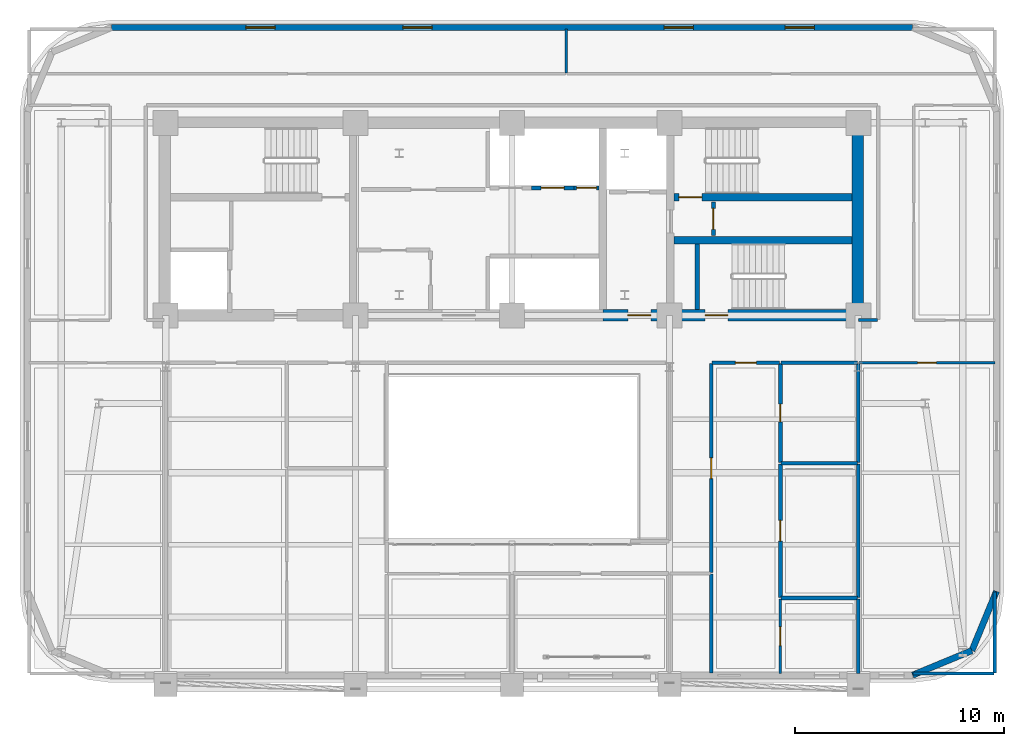
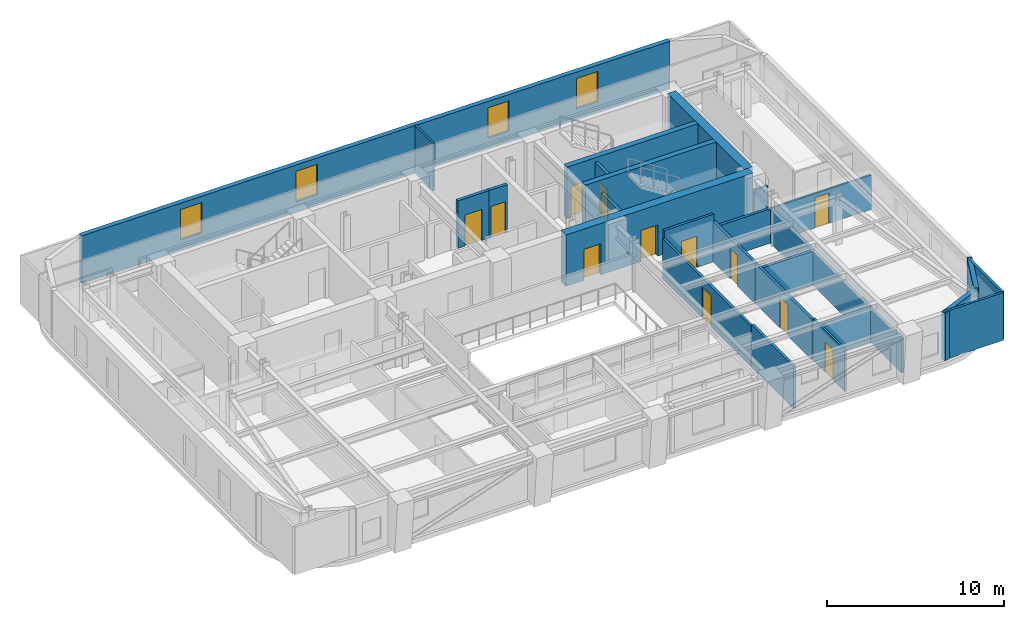
# One storey, part 8 of 13: 28 walls, 12 doors, 4 windows, 16 openings.
"""IFC4 building model written with IfcOpenShell, lengths in metres."""

from ifc_helpers import new_model, si_unit, direction, frame, frame_2d, origin, place, context, subcontext, project, spatial, rectangle, extrude, material, layer, layer_set, type_object, element, fill, save


model = new_model("IFC4")

# Units and contexts
model_context = context("Model", 3, precision=1e-05, world=origin(), true_north=direction((0.0, 1.0)))
body_context = subcontext(model_context, "Body", "Model", "MODEL_VIEW")
ifc_project = project(units=[si_unit("LENGTHUNIT", "METRE"), si_unit("AREAUNIT", "SQUARE_METRE"), si_unit("VOLUMEUNIT", "CUBIC_METRE"), si_unit("PLANEANGLEUNIT", "RADIAN"), si_unit("MASSUNIT", "GRAM", prefix="KILO")], contexts=[model_context])

# Site, building, storey
site_placement = place(None, origin())
site = spatial("IfcSite", under=ifc_project, at=site_placement, CompositionType="ELEMENT")
building_placement = place(site_placement, origin())
building = spatial("IfcBuilding", under=site, at=building_placement, Name="Zarnavel Station Tower", CompositionType="ELEMENT")
storey_placement = place(building_placement, frame((0.0, 0.0, 176.75)))
storey = spatial("IfcBuildingStorey", under=building, at=storey_placement, Name="L48", CompositionType="ELEMENT", Elevation=176.75)

# Wall, opening, door
ifc_material_1 = material(Name="Concrete C50/60", Category="concrete")
ifc_layer_1 = layer(ifc_material_1, 0.35009765625)
ifc_layer_set_1 = layer_set([ifc_layer_1], Name="CW_350")
wall_type_1 = type_object("IfcWallType", Name="CW_350", PredefinedType="SHEAR", material=ifc_layer_set_1)
wall_1_placement = place(storey_placement, frame((45.10498046875, 33.47998046875, 0.0), z_axis=(0.0, 0.0, 1.0), x_axis=(-1.0, 0.0, 0.0)))
wall_1 = element("IfcWall", 1, at=wall_1_placement, inside=storey, type_object=wall_type_1, Name="L48 Rear Core Shear Wall DIV-H2", PredefinedType="SHEAR", context=body_context, shape_type="SweptSolid", body=[
    extrude(rectangle(XDim=8.550048828125, YDim=0.35009765625, at=frame_2d((4.27490234375, 0.0))), origin(), (0.0, 0.0, 1.0), 3.550048828125),
])
opening_1_placement = place(wall_1_placement, frame((7.205078125, 0.0, 0.0)))
opening_1 = element("IfcOpeningElement", 2, at=opening_1_placement, cuts=wall_1, Name="Opening FD01", PredefinedType="OPENING", context=body_context, shape_type="SweptSolid", body=[
    extrude(rectangle(XDim=1.10009765625, YDim=2.14990234375, at=frame_2d((0.550048828125, 1.074951171875))), frame((0.0, 0.18505859375, 0.0), z_axis=(0.0, -1.0, 0.0), x_axis=(1.0, 0.0, 0.0)), (0.0, 0.0, 1.0), 0.3701171875),
])
ifc_material_2 = material(Name="Painted Galvanised Steel and Hardwood Leaf", Category="steel")
door_type_1 = type_object("IfcDoorType", Name="ID_STAIR_1100", OperationType="NOTDEFINED", PredefinedType="DOOR", material=ifc_material_2)
door_1_placement = place(opening_1_placement, origin())
door_1 = element("IfcDoor", 3, at=door_1_placement, inside=storey, type_object=door_type_1, Name="L48 Stair ST2 Lobby Fire Door", OperationType="SINGLE_SWING_RIGHT", OverallHeight=2.14990234375, OverallWidth=1.10009765625, PredefinedType="DOOR", context=body_context, shape_type="SweptSolid", body=[
    extrude(rectangle(XDim=1.10009765625, YDim=2.14990234375, at=frame_2d((0.550048828125, 1.074951171875))), frame((0.0, 0.02490234375, 0.0), z_axis=(0.0, -1.0, 0.0), x_axis=(1.0, 0.0, 0.0)), (0.0, 0.0, 1.0), 0.050048828125),
])
fill(opening_1, door_1)

# Wall
wall_2_placement = place(storey_placement, frame((36.554931640625, 31.419921875, 0.0), z_axis=(0.0, 0.0, 1.0), x_axis=(1.0, 0.0, 0.0)))
element("IfcWall", 4, at=wall_2_placement, inside=storey, type_object=wall_type_1, Name="L48 Rear Core Shear Wall DIV-H3", PredefinedType="SHEAR", context=body_context, shape_type="SweptSolid", body=[
    extrude(rectangle(XDim=8.550048828125, YDim=0.35009765625, at=frame_2d((4.27490234375, 0.0))), origin(), (0.0, 0.0, 1.0), 3.550048828125),
])

# Wall, openings, doors
ifc_material_3 = material(Name="Concrete C50/60", Category="concrete")
ifc_layer_2 = layer(ifc_material_3, 0.550048828125)
ifc_layer_set_2 = layer_set([ifc_layer_2], Name="CW_550")
wall_type_2 = type_object("IfcWallType", Name="CW_550", PredefinedType="SHEAR", material=ifc_layer_set_2)
wall_3_placement = place(storey_placement, frame((45.3798828125, 27.820068359375, 0.0), z_axis=(0.0, 0.0, 1.0), x_axis=(-1.0, 0.0, 0.0)))
wall_3 = element("IfcWall", 5, at=wall_3_placement, inside=storey, type_object=wall_type_2, Name="L48 Rear Core Shear Wall S-E", PredefinedType="SHEAR", context=body_context, shape_type="SweptSolid", body=[
    extrude(rectangle(XDim=12.22998046875, YDim=0.550048828125, at=frame_2d((6.114990234375, 0.0))), origin(), (0.0, 0.0, 1.0), 3.550048828125),
])
opening_2_placement = place(wall_3_placement, frame((9.929931640625, 0.0, 0.0)))
opening_2 = element("IfcOpeningElement", 6, at=opening_2_placement, cuts=wall_3, Name="Opening FD01", PredefinedType="OPENING", context=body_context, shape_type="SweptSolid", body=[
    extrude(rectangle(XDim=1.10009765625, YDim=2.14990234375, at=frame_2d((0.550048828125, 1.074951171875))), frame((0.0, 0.284912109375, 0.0), z_axis=(0.0, -1.0, 0.0), x_axis=(1.0, 0.0, 0.0)), (0.0, 0.0, 1.0), 0.570068359375),
])
opening_3_placement = place(wall_3_placement, frame((6.22998046875, 0.0, 0.0)))
opening_3 = element("IfcOpeningElement", 7, at=opening_3_placement, cuts=wall_3, Name="Opening FD01", PredefinedType="OPENING", context=body_context, shape_type="SweptSolid", body=[
    extrude(rectangle(XDim=1.10009765625, YDim=2.14990234375, at=frame_2d((0.550048828125, 1.074951171875))), frame((0.0, 0.284912109375, 0.0), z_axis=(0.0, -1.0, 0.0), x_axis=(1.0, 0.0, 0.0)), (0.0, 0.0, 1.0), 0.570068359375),
])
door_2_placement = place(opening_2_placement, origin())
door_2 = element("IfcDoor", 8, at=door_2_placement, inside=storey, type_object=door_type_1, Name="L48 East Firefighting Lobby Door", OperationType="SINGLE_SWING_LEFT", OverallHeight=2.14990234375, OverallWidth=1.10009765625, PredefinedType="DOOR", context=body_context, shape_type="SweptSolid", body=[
    extrude(rectangle(XDim=1.10009765625, YDim=2.14990234375, at=frame_2d((0.550048828125, 1.074951171875))), frame((0.0, 0.02490234375, 0.0), z_axis=(0.0, -1.0, 0.0), x_axis=(1.0, 0.0, 0.0)), (0.0, 0.0, 1.0), 0.050048828125),
])
fill(opening_2, door_2)
door_3_placement = place(opening_3_placement, origin())
door_3 = element("IfcDoor", 9, at=door_3_placement, inside=storey, type_object=door_type_1, Name="L48 Stair ST3 Corridor Fire Door", OperationType="SINGLE_SWING_RIGHT", OverallHeight=2.14990234375, OverallWidth=1.10009765625, PredefinedType="DOOR", context=body_context, shape_type="SweptSolid", body=[
    extrude(rectangle(XDim=1.10009765625, YDim=2.14990234375, at=frame_2d((0.550048828125, 1.074951171875))), frame((0.0, 0.02490234375, 0.0), z_axis=(0.0, -1.0, 0.0), x_axis=(1.0, 0.0, 0.0)), (0.0, 0.0, 1.0), 0.050048828125),
])
fill(opening_3, door_3)

# Walls
wall_4_placement = place(storey_placement, frame((45.3798828125, 28.094970703125, 0.0), z_axis=(0.0, 0.0, 1.0), x_axis=(0.0, 1.0, 0.0)))
element("IfcWall", 10, at=wall_4_placement, inside=storey, type_object=wall_type_2, Name="L48 Rear Core Shear Wall E", PredefinedType="SHEAR", context=body_context, shape_type="SweptSolid", body=[
    extrude(rectangle(XDim=8.679931640625, YDim=0.550048828125, at=frame_2d((4.33984375, 0.0))), origin(), (0.0, 0.0, 1.0), 3.550048828125),
])
ifc_material_4 = material(Name="Precast concrete C45/55 (Dark Basalt Finish)", Category="masonry")
ifc_layer_3 = layer(ifc_material_4, 0.300048828125)
ifc_layer_set_3 = layer_set([ifc_layer_3], Name="EW_BASALT_300")
wall_type_3 = type_object("IfcWallType", Name="EW_BASALT_300", PredefinedType="SOLIDWALL", material=ifc_layer_set_3)
wall_5_placement = place(storey_placement, frame((50.842529296875, 11.75732421875, 0.0), z_axis=(0.0, 0.0, 1.0), x_axis=(-0.92389884758, -0.382636798336, 0.0)))
element("IfcWall", 11, at=wall_5_placement, inside=storey, type_object=wall_type_3, Name="L48 Exterior Basalt Masonry Frame Wall 01", PredefinedType="SOLIDWALL", context=body_context, shape_type="SweptSolid", body=[
    extrude(rectangle(XDim=3.07666015625, YDim=0.300048828125, at=frame_2d((1.538330078125, 0.0))), origin(), (0.0, 0.0, 1.0), 3.2900390625),
])
wall_6_placement = place(storey_placement, frame((52.02001953125, 14.60009765625, 0.0), z_axis=(0.0, 0.0, 1.0), x_axis=(-0.382676475685, -0.923882414032, 0.0)))
element("IfcWall", 12, at=wall_6_placement, inside=storey, type_object=wall_type_3, Name="L48 Exterior Basalt Masonry Frame Wall 02", PredefinedType="SOLIDWALL", context=body_context, shape_type="SweptSolid", body=[
    extrude(rectangle(XDim=3.076904296875, YDim=0.300048828125, at=frame_2d((1.53857421875, 0.0))), origin(), (0.0, 0.0, 1.0), 3.2900390625),
])

# Wall, openings, windows
wall_7_placement = place(storey_placement, frame((9.60009765625, 41.6201171875, 0.0), z_axis=(0.0, 0.0, 1.0), x_axis=(1.0, 0.0, 0.0)))
wall_7 = element("IfcWall", 13, at=wall_7_placement, inside=storey, type_object=wall_type_3, Name="L48 Exterior Basalt Masonry Frame Wall 06", PredefinedType="SOLIDWALL", context=body_context, shape_type="SweptSolid", body=[
    extrude(rectangle(XDim=38.39990234375, YDim=0.300048828125, at=frame_2d((19.199951171875, 0.0))), origin(), (0.0, 0.0, 1.0), 3.2900390625),
])
opening_4_placement = place(wall_7_placement, frame((6.44677734375, 0.0, 0.75)))
opening_4 = element("IfcOpeningElement", 14, at=opening_4_placement, cuts=wall_7, Name="Opening WN04", PredefinedType="OPENING", context=body_context, shape_type="SweptSolid", body=[
    extrude(rectangle(XDim=1.39990234375, YDim=2.10009765625, at=frame_2d((0.699951171875, 1.050048828125))), frame((0.0, 0.159912109375, 0.0), z_axis=(0.0, -1.0, 0.0), x_axis=(1.0, 0.0, 0.0)), (0.0, 0.0, 1.0), 0.320068359375),
])
opening_5_placement = place(wall_7_placement, frame((13.973388671875, 0.0, 0.75)))
opening_5 = element("IfcOpeningElement", 15, at=opening_5_placement, cuts=wall_7, Name="Opening WN04", PredefinedType="OPENING", context=body_context, shape_type="SweptSolid", body=[
    extrude(rectangle(XDim=1.39990234375, YDim=2.10009765625, at=frame_2d((0.699951171875, 1.050048828125))), frame((0.0, 0.159912109375, 0.0), z_axis=(0.0, -1.0, 0.0), x_axis=(1.0, 0.0, 0.0)), (0.0, 0.0, 1.0), 0.320068359375),
])
opening_6_placement = place(wall_7_placement, frame((26.493408203125, 0.0, 0.75)))
opening_6 = element("IfcOpeningElement", 16, at=opening_6_placement, cuts=wall_7, Name="Opening WN04", PredefinedType="OPENING", context=body_context, shape_type="SweptSolid", body=[
    extrude(rectangle(XDim=1.39990234375, YDim=2.10009765625, at=frame_2d((0.699951171875, 1.050048828125))), frame((0.0, 0.159912109375, 0.0), z_axis=(0.0, -1.0, 0.0), x_axis=(1.0, 0.0, 0.0)), (0.0, 0.0, 1.0), 0.320068359375),
])
opening_7_placement = place(wall_7_placement, frame((32.28662109375, 0.0, 0.75)))
opening_7 = element("IfcOpeningElement", 17, at=opening_7_placement, cuts=wall_7, Name="Opening WN04", PredefinedType="OPENING", context=body_context, shape_type="SweptSolid", body=[
    extrude(rectangle(XDim=1.39990234375, YDim=2.10009765625, at=frame_2d((0.699951171875, 1.050048828125))), frame((0.0, 0.159912109375, 0.0), z_axis=(0.0, -1.0, 0.0), x_axis=(1.0, 0.0, 0.0)), (0.0, 0.0, 1.0), 0.320068359375),
])
ifc_material_5 = material(Name="Thermally Broken Black Aluminium and Low-E Dark Glass", Category="aluminium")
window_type = type_object("IfcWindowType", Name="WN_1400x2100", PartitioningType="DOUBLE_PANEL_VERTICAL", PredefinedType="WINDOW", material=ifc_material_5)
window_1_placement = place(opening_4_placement, origin())
window_1 = element("IfcWindow", 18, at=window_1_placement, inside=storey, type_object=window_type, Name="L48 Recessed Facade Window 01", OverallHeight=2.10009765625, OverallWidth=1.39990234375, PartitioningType="SINGLE_PANEL", PredefinedType="WINDOW", context=body_context, shape_type="SweptSolid", body=[
    extrude(rectangle(XDim=1.39990234375, YDim=2.10009765625, at=frame_2d((0.699951171875, 1.050048828125))), frame((0.0, 0.030029296875, 0.0), z_axis=(0.0, -1.0, 0.0), x_axis=(1.0, 0.0, 0.0)), (0.0, 0.0, 1.0), 0.06005859375),
])
fill(opening_4, window_1)
window_2_placement = place(opening_5_placement, origin())
window_2 = element("IfcWindow", 19, at=window_2_placement, inside=storey, type_object=window_type, Name="L48 Recessed Facade Window 02", OverallHeight=2.10009765625, OverallWidth=1.39990234375, PartitioningType="SINGLE_PANEL", PredefinedType="WINDOW", context=body_context, shape_type="SweptSolid", body=[
    extrude(rectangle(XDim=1.39990234375, YDim=2.10009765625, at=frame_2d((0.699951171875, 1.050048828125))), frame((0.0, 0.030029296875, 0.0), z_axis=(0.0, -1.0, 0.0), x_axis=(1.0, 0.0, 0.0)), (0.0, 0.0, 1.0), 0.06005859375),
])
fill(opening_5, window_2)
window_3_placement = place(opening_6_placement, origin())
window_3 = element("IfcWindow", 20, at=window_3_placement, inside=storey, type_object=window_type, Name="L48 Recessed Facade Window 03", OverallHeight=2.10009765625, OverallWidth=1.39990234375, PartitioningType="SINGLE_PANEL", PredefinedType="WINDOW", context=body_context, shape_type="SweptSolid", body=[
    extrude(rectangle(XDim=1.39990234375, YDim=2.10009765625, at=frame_2d((0.699951171875, 1.050048828125))), frame((0.0, 0.030029296875, 0.0), z_axis=(0.0, -1.0, 0.0), x_axis=(1.0, 0.0, 0.0)), (0.0, 0.0, 1.0), 0.06005859375),
])
fill(opening_6, window_3)
window_4_placement = place(opening_7_placement, origin())
window_4 = element("IfcWindow", 21, at=window_4_placement, inside=storey, type_object=window_type, Name="L48 Recessed Facade Window 04", OverallHeight=2.10009765625, OverallWidth=1.39990234375, PartitioningType="SINGLE_PANEL", PredefinedType="WINDOW", context=body_context, shape_type="SweptSolid", body=[
    extrude(rectangle(XDim=1.39990234375, YDim=2.10009765625, at=frame_2d((0.699951171875, 1.050048828125))), frame((0.0, 0.030029296875, 0.0), z_axis=(0.0, -1.0, 0.0), x_axis=(1.0, 0.0, 0.0)), (0.0, 0.0, 1.0), 0.06005859375),
])
fill(opening_7, window_4)

# Wall, opening, door
ifc_material_6 = material(Name="Gypsum Twin-Stud Acoustic Fire Partition", Category="concrete")
ifc_layer_4 = layer(ifc_material_6, 0.159912109375)
ifc_layer_set_4 = layer_set([ifc_layer_4], Name="PT_DEMISE_160")
wall_type_4 = type_object("IfcWallType", Name="PT_DEMISE_160", PredefinedType="PARTITIONING", material=ifc_layer_set_4)
wall_8_placement = place(storey_placement, frame((38.389892578125, 25.550048828125, 0.0), z_axis=(0.0, 0.0, 1.0), x_axis=(1.0, 0.0, 0.0)))
wall_8 = element("IfcWall", 22, at=wall_8_placement, inside=storey, type_object=wall_type_4, Name="L48 Partition COR-S-UE1LV", PredefinedType="PARTITIONING", context=body_context, shape_type="SweptSolid", body=[
    extrude(rectangle(XDim=3.233154296875, YDim=0.159912109375, at=frame_2d((1.61669921875, 0.0))), origin(), (0.0, 0.0, 1.0), 3.2900390625),
])
opening_8_placement = place(wall_8_placement, frame((1.116455078125, 0.0, 0.0)))
opening_8 = element("IfcOpeningElement", 23, at=opening_8_placement, cuts=wall_8, Name="Opening FD02", PredefinedType="OPENING", context=body_context, shape_type="SweptSolid", body=[
    extrude(rectangle(XDim=1.0, YDim=2.14990234375, at=frame_2d((0.5, 1.074951171875))), frame((0.0, 0.08984375, 0.0), z_axis=(0.0, -1.0, 0.0), x_axis=(1.0, 0.0, 0.0)), (0.0, 0.0, 1.0), 0.179931640625),
])
ifc_material_7 = material(Name="Painted Galvanised Steel and Hardwood Leaf", Category="steel")
door_type_2 = type_object("IfcDoorType", Name="ID_ENTRY_1000", OperationType="NOTDEFINED", PredefinedType="DOOR", material=ifc_material_7)
door_4_placement = place(opening_8_placement, origin())
door_4 = element("IfcDoor", 24, at=door_4_placement, inside=storey, type_object=door_type_2, Name="L48 Door COR-S-UE1LV", OperationType="SINGLE_SWING_LEFT", OverallHeight=2.14990234375, OverallWidth=1.0, PredefinedType="DOOR", context=body_context, shape_type="SweptSolid", body=[
    extrude(rectangle(XDim=1.0, YDim=2.14990234375, at=frame_2d((0.5, 1.074951171875))), frame((0.0, 0.02490234375, 0.0), z_axis=(0.0, -1.0, 0.0), x_axis=(1.0, 0.0, 0.0)), (0.0, 0.0, 1.0), 0.050048828125),
])
fill(opening_8, door_4)

wall_9_placement = place(storey_placement, frame((38.35009765625, 15.489990234375, 0.0), z_axis=(0.0, 0.0, 1.0), x_axis=(0.0, 1.0, 0.0)))
wall_9 = element("IfcWall", 25, at=wall_9_placement, inside=storey, type_object=wall_type_4, Name="L48 Partition COR-AE-UE1LV", PredefinedType="PARTITIONING", context=body_context, shape_type="SweptSolid", body=[
    extrude(rectangle(XDim=10.02001953125, YDim=0.159912109375, at=frame_2d((5.010009765625, 0.0))), origin(), (0.0, 0.0, 1.0), 2.77001953125),
])
opening_9_placement = place(wall_9_placement, frame((4.510009765625, 0.0, 0.0)))
opening_9 = element("IfcOpeningElement", 26, at=opening_9_placement, cuts=wall_9, Name="Opening FD02", PredefinedType="OPENING", context=body_context, shape_type="SweptSolid", body=[
    extrude(rectangle(XDim=1.0, YDim=2.14990234375, at=frame_2d((0.5, 1.074951171875))), frame((0.0, 0.08984375, 0.0), z_axis=(0.0, -1.0, 0.0), x_axis=(1.0, 0.0, 0.0)), (0.0, 0.0, 1.0), 0.179931640625),
])
door_5_placement = place(opening_9_placement, origin())
door_5 = element("IfcDoor", 27, at=door_5_placement, inside=storey, type_object=door_type_2, Name="L48 Door COR-AE-UE1LV", OperationType="SINGLE_SWING_LEFT", OverallHeight=2.14990234375, OverallWidth=1.0, PredefinedType="DOOR", context=body_context, shape_type="SweptSolid", body=[
    extrude(rectangle(XDim=1.0, YDim=2.14990234375, at=frame_2d((0.5, 1.074951171875))), frame((0.0, 0.02490234375, 0.0), z_axis=(0.0, -1.0, 0.0), x_axis=(1.0, 0.0, 0.0)), (0.0, 0.0, 1.0), 0.050048828125),
])
fill(opening_9, door_5)

# Walls
wall_10_placement = place(storey_placement, frame((45.39990234375, 10.659912109375, 0.0), z_axis=(0.0, 0.0, 1.0), x_axis=(0.0, 1.0, 0.0)))
element("IfcWall", 28, at=wall_10_placement, inside=storey, type_object=wall_type_4, Name="L48 Partition UE1B1-L47TEA", PredefinedType="PARTITIONING", context=body_context, shape_type="SweptSolid", body=[
    extrude(rectangle(XDim=3.572998046875, YDim=0.159912109375, at=frame_2d((1.78662109375, 0.0))), origin(), (0.0, 0.0, 1.0), 2.3701171875),
])
wall_11_placement = place(storey_placement, frame((45.409912109375, 27.60009765625, 0.0), z_axis=(0.0, 0.0, 1.0), x_axis=(1.0, 0.0, 0.0)))
element("IfcWall", 29, at=wall_11_placement, inside=storey, type_object=wall_type_4, Name="L48 Enclosure Wall COR-S", PredefinedType="PARTITIONING", context=body_context, shape_type="SweptSolid", body=[
    extrude(rectangle(XDim=0.91015625, YDim=0.159912109375, at=frame_2d((0.455078125, 0.0))), origin(), (0.0, 0.0, 1.0), 2.360107421875),
])
wall_12_placement = place(storey_placement, frame((38.35009765625, 10.68994140625, 0.0), z_axis=(0.0, 0.0, 1.0), x_axis=(0.0, 1.0, 0.0)))
element("IfcWall", 30, at=wall_12_placement, inside=storey, type_object=wall_type_4, Name="L48 Enclosure Wall UE1LV", PredefinedType="PARTITIONING", context=body_context, shape_type="SweptSolid", body=[
    extrude(rectangle(XDim=4.72998046875, YDim=0.159912109375, at=frame_2d((2.364990234375, 0.0))), origin(), (0.0, 0.0, 1.0), 2.919921875),
])
wall_13_placement = place(storey_placement, frame((48.030029296875, 10.659912109375, 0.0), z_axis=(0.0, 0.0, 1.0), x_axis=(1.0, 0.0, 0.0)))
element("IfcWall", 31, at=wall_13_placement, inside=storey, type_object=wall_type_4, Name="L48 Enclosure Wall L47TEA", PredefinedType="PARTITIONING", context=body_context, shape_type="SweptSolid", body=[
    extrude(rectangle(XDim=3.8798828125, YDim=0.159912109375, at=frame_2d((1.93994140625, 0.0))), origin(), (0.0, 0.0, 1.0), 3.2900390625),
])
wall_14_placement = place(storey_placement, frame((51.93994140625, 10.68994140625, 0.0), z_axis=(0.0, 0.0, 1.0), x_axis=(0.0, 1.0, 0.0)))
element("IfcWall", 32, at=wall_14_placement, inside=storey, type_object=wall_type_4, Name="L48 Enclosure Wall L47TEA", PredefinedType="PARTITIONING", context=body_context, shape_type="SweptSolid", body=[
    extrude(rectangle(XDim=3.880126953125, YDim=0.159912109375, at=frame_2d((1.93994140625, 0.0))), origin(), (0.0, 0.0, 1.0), 3.2900390625),
])

# Wall, opening, door
ifc_material_8 = material(Name="Gypsum Metal-Stud Interior Partition", Category="concrete")
ifc_layer_5 = layer(ifc_material_8, 0.1201171875)
ifc_layer_set_5 = layer_set([ifc_layer_5], Name="PT_ROOM_120")
wall_type_5 = type_object("IfcWallType", Name="PT_ROOM_120", PredefinedType="PARTITIONING", material=ifc_layer_set_5)
wall_15_placement = place(storey_placement, frame((45.43994140625, 25.550048828125, 0.0), z_axis=(0.0, 0.0, 1.0), x_axis=(1.0, 0.0, 0.0)))
wall_15 = element("IfcWall", 33, at=wall_15_placement, inside=storey, type_object=wall_type_5, Name="L48 Partition COR-S-L47TEA", PredefinedType="PARTITIONING", context=body_context, shape_type="SweptSolid", body=[
    extrude(rectangle(XDim=6.5, YDim=0.1201171875, at=frame_2d((3.25, 0.0))), origin(), (0.0, 0.0, 1.0), 2.3701171875),
])
opening_10_placement = place(wall_15_placement, frame((2.800048828125, 0.0, 0.0)))
opening_10 = element("IfcOpeningElement", 34, at=opening_10_placement, cuts=wall_15, Name="Opening ID01", PredefinedType="OPENING", context=body_context, shape_type="SweptSolid", body=[
    extrude(rectangle(XDim=0.89990234375, YDim=2.10009765625, at=frame_2d((0.449951171875, 1.050048828125))), frame((0.0, 0.070068359375, 0.0), z_axis=(0.0, -1.0, 0.0), x_axis=(1.0, 0.0, 0.0)), (0.0, 0.0, 1.0), 0.14013671875),
])
ifc_material_9 = material(Name="Painted Galvanised Steel and Hardwood Leaf", Category="steel")
door_type_3 = type_object("IfcDoorType", Name="ID_ROOM_900", OperationType="NOTDEFINED", PredefinedType="DOOR", material=ifc_material_9)
door_6_placement = place(opening_10_placement, origin())
door_6 = element("IfcDoor", 35, at=door_6_placement, inside=storey, type_object=door_type_3, Name="L48 Door COR-S-L47TEA", OperationType="SINGLE_SWING_RIGHT", OverallHeight=2.10009765625, OverallWidth=0.89990234375, PredefinedType="DOOR", context=body_context, shape_type="SweptSolid", body=[
    extrude(rectangle(XDim=0.89990234375, YDim=2.10009765625, at=frame_2d((0.449951171875, 1.050048828125))), frame((0.0, 0.02490234375, 0.0), z_axis=(0.0, -1.0, 0.0), x_axis=(1.0, 0.0, 0.0)), (0.0, 0.0, 1.0), 0.050048828125),
])
fill(opening_10, door_6)

# Wall
wall_16_placement = place(storey_placement, frame((31.39990234375, 39.43994140625, 0.0), z_axis=(0.0, 0.0, 1.0), x_axis=(0.0, 1.0, 0.0)))
element("IfcWall", 36, at=wall_16_placement, inside=storey, type_object=wall_type_5, Name="L48 Partition NGYM-NBRD", PredefinedType="PARTITIONING", context=body_context, shape_type="SweptSolid", body=[
    extrude(rectangle(XDim=2.10009765625, YDim=0.1201171875, at=frame_2d((1.050048828125, 0.0))), origin(), (0.0, 0.0, 1.0), 3.2900390625),
])

# Wall, opening, door
wall_17_placement = place(storey_placement, frame((41.6630859375, 10.659912109375, 0.0), z_axis=(0.0, 0.0, 1.0), x_axis=(0.0, 1.0, 0.0)))
wall_17 = element("IfcWall", 37, at=wall_17_placement, inside=storey, type_object=wall_type_5, Name="L48 Partition UE1LV-UE1B1", PredefinedType="PARTITIONING", context=body_context, shape_type="SweptSolid", body=[
    extrude(rectangle(XDim=3.572998046875, YDim=0.1201171875, at=frame_2d((1.78662109375, 0.0))), origin(), (0.0, 0.0, 1.0), 2.919921875),
])
opening_11_placement = place(wall_17_placement, frame((1.33642578125, 0.0, 0.0)))
opening_11 = element("IfcOpeningElement", 38, at=opening_11_placement, cuts=wall_17, Name="Opening ID01", PredefinedType="OPENING", context=body_context, shape_type="SweptSolid", body=[
    extrude(rectangle(XDim=0.89990234375, YDim=2.10009765625, at=frame_2d((0.449951171875, 1.050048828125))), frame((0.0, 0.070068359375, 0.0), z_axis=(0.0, -1.0, 0.0), x_axis=(1.0, 0.0, 0.0)), (0.0, 0.0, 1.0), 0.14013671875),
])
door_7_placement = place(opening_11_placement, origin())
door_7 = element("IfcDoor", 39, at=door_7_placement, inside=storey, type_object=door_type_3, Name="L48 Door UE1LV-UE1B1", OperationType="SINGLE_SWING_LEFT", OverallHeight=2.10009765625, OverallWidth=0.89990234375, PredefinedType="DOOR", context=body_context, shape_type="SweptSolid", body=[
    extrude(rectangle(XDim=0.89990234375, YDim=2.10009765625, at=frame_2d((0.449951171875, 1.050048828125))), frame((0.0, 0.02490234375, 0.0), z_axis=(0.0, -1.0, 0.0), x_axis=(1.0, 0.0, 0.0)), (0.0, 0.0, 1.0), 0.050048828125),
])
fill(opening_11, door_7)

ifc_material_10 = material(Name="Precast concrete C45/55 (Fire Shaft Blockwork)", Category="masonry")
ifc_layer_6 = layer(ifc_material_10, 0.199951171875)
ifc_layer_set_6 = layer_set([ifc_layer_6], Name="PT_SHAFT_200")
wall_type_6 = type_object("IfcWallType", Name="PT_SHAFT_200", PredefinedType="PARTITIONING", material=ifc_layer_set_6)
wall_18_placement = place(storey_placement, frame((29.72509765625, 33.929931640625, 0.0), z_axis=(0.0, 0.0, 1.0), x_axis=(1.0, 0.0, 0.0)))
wall_18 = element("IfcWall", 40, at=wall_18_placement, inside=storey, type_object=wall_type_6, Name="L48 Lift PL-M2 Shaft Front Wall", PredefinedType="PARTITIONING", context=body_context, shape_type="SweptSolid", body=[
    extrude(rectangle(XDim=2.0498046875, YDim=0.199951171875, at=frame_2d((1.02490234375, 0.0))), origin(), (0.0, 0.0, 1.0), 3.2900390625),
])
opening_12_placement = place(wall_18_placement, frame((0.47509765625, 0.0, 0.0)))
opening_12 = element("IfcOpeningElement", 41, at=opening_12_placement, cuts=wall_18, Name="Opening LD02", PredefinedType="OPENING", context=body_context, shape_type="SweptSolid", body=[
    extrude(rectangle(XDim=1.10009765625, YDim=2.14990234375, at=frame_2d((0.550048828125, 1.074951171875))), frame((0.0, 0.10986328125, 0.0), z_axis=(0.0, -1.0, 0.0), x_axis=(1.0, 0.0, 0.0)), (0.0, 0.0, 1.0), 0.219970703125),
])
ifc_material_11 = material(Name="Painted Galvanised Steel and Hardwood Leaf", Category="steel")
door_type_4 = type_object("IfcDoorType", Name="LD_PAX_1100", OperationType="DOUBLE_DOOR_SLIDING", PredefinedType="DOOR", material=ifc_material_11)
door_8_placement = place(opening_12_placement, origin())
door_8 = element("IfcDoor", 42, at=door_8_placement, inside=storey, type_object=door_type_4, Name="L48 Lift PL-M2 Sliding Landing Door", OperationType="DOUBLE_DOOR_SLIDING", OverallHeight=2.14990234375, OverallWidth=1.10009765625, PredefinedType="DOOR", context=body_context, shape_type="SweptSolid", body=[
    extrude(rectangle(XDim=1.10009765625, YDim=2.14990234375, at=frame_2d((0.550048828125, 1.074951171875))), frame((0.0, 0.02490234375, 0.0), z_axis=(0.0, -1.0, 0.0), x_axis=(1.0, 0.0, 0.0)), (0.0, 0.0, 1.0), 0.050048828125),
])
fill(opening_12, door_8)

wall_19_placement = place(storey_placement, frame((31.77490234375, 33.929931640625, 0.0), z_axis=(0.0, 0.0, 1.0), x_axis=(1.0, 0.0, 0.0)))
wall_19 = element("IfcWall", 43, at=wall_19_placement, inside=storey, type_object=wall_type_6, Name="L48 Lift PL-M3 Shaft Front Wall", PredefinedType="PARTITIONING", context=body_context, shape_type="SweptSolid", body=[
    extrude(rectangle(XDim=1.2001953125, YDim=0.199951171875, at=frame_2d((0.60009765625, 0.0))), origin(), (0.0, 0.0, 1.0), 3.2900390625),
])
opening_13_placement = place(wall_19_placement, frame((0.125, 0.0, 0.0)))
opening_13 = element("IfcOpeningElement", 44, at=opening_13_placement, cuts=wall_19, Name="Opening LD03", PredefinedType="OPENING", context=body_context, shape_type="SweptSolid", body=[
    extrude(rectangle(XDim=0.949951171875, YDim=2.14990234375, at=frame_2d((0.47509765625, 1.074951171875))), frame((0.0, 0.10986328125, 0.0), z_axis=(0.0, -1.0, 0.0), x_axis=(1.0, 0.0, 0.0)), (0.0, 0.0, 1.0), 0.219970703125),
])
ifc_material_12 = material(Name="Painted Galvanised Steel and Hardwood Leaf", Category="steel")
door_type_5 = type_object("IfcDoorType", Name="LD_PAX_0950", OperationType="DOUBLE_DOOR_SLIDING", PredefinedType="DOOR", material=ifc_material_12)
door_9_placement = place(opening_13_placement, origin())
door_9 = element("IfcDoor", 45, at=door_9_placement, inside=storey, type_object=door_type_5, Name="L48 Lift PL-M3 Sliding Landing Door", OperationType="DOUBLE_DOOR_SLIDING", OverallHeight=2.14990234375, OverallWidth=0.949951171875, PredefinedType="DOOR", context=body_context, shape_type="SweptSolid", body=[
    extrude(rectangle(XDim=0.949951171875, YDim=2.14990234375, at=frame_2d((0.47509765625, 1.074951171875))), frame((0.0, 0.02490234375, 0.0), z_axis=(0.0, -1.0, 0.0), x_axis=(1.0, 0.0, 0.0)), (0.0, 0.0, 1.0), 0.050048828125),
])
fill(opening_13, door_9)

# Wall
wall_20_placement = place(storey_placement, frame((37.679931640625, 28.094970703125, 0.0), z_axis=(0.0, 0.0, 1.0), x_axis=(0.0, 1.0, 0.0)))
element("IfcWall", 46, at=wall_20_placement, inside=storey, type_object=wall_type_6, Name="L48 Stair ST3 West Shaft Wall", PredefinedType="PARTITIONING", context=body_context, shape_type="SweptSolid", body=[
    extrude(rectangle(XDim=3.155029296875, YDim=0.199951171875, at=frame_2d((1.57763671875, 0.0))), origin(), (0.0, 0.0, 1.0), 2.669921875),
])

# Wall, opening, door
wall_21_placement = place(storey_placement, frame((38.449951171875, 31.639892578125, 0.0), z_axis=(0.0, 0.0, 1.0), x_axis=(0.0, 1.0, 0.0)))
wall_21 = element("IfcWall", 47, at=wall_21_placement, inside=storey, type_object=wall_type_6, Name="L48 Partition ESTV-CEA", PredefinedType="PARTITIONING", context=body_context, shape_type="SweptSolid", body=[
    extrude(rectangle(XDim=1.6201171875, YDim=0.199951171875, at=frame_2d((0.81005859375, 0.0))), origin(), (0.0, 0.0, 1.0), 3.2900390625),
])
opening_14_placement = place(wall_21_placement, frame((0.31005859375, 0.0, 0.0)))
opening_14 = element("IfcOpeningElement", 48, at=opening_14_placement, cuts=wall_21, Name="Opening FD02", PredefinedType="OPENING", context=body_context, shape_type="SweptSolid", body=[
    extrude(rectangle(XDim=1.0, YDim=2.14990234375, at=frame_2d((0.5, 1.074951171875))), frame((0.0, 0.10986328125, 0.0), z_axis=(0.0, -1.0, 0.0), x_axis=(1.0, 0.0, 0.0)), (0.0, 0.0, 1.0), 0.219970703125),
])
door_10_placement = place(opening_14_placement, origin())
door_10 = element("IfcDoor", 49, at=door_10_placement, inside=storey, type_object=door_type_2, Name="L48 Door ESTV-CEA", OperationType="SINGLE_SWING_RIGHT", OverallHeight=2.14990234375, OverallWidth=1.0, PredefinedType="DOOR", context=body_context, shape_type="SweptSolid", body=[
    extrude(rectangle(XDim=1.0, YDim=2.14990234375, at=frame_2d((0.5, 1.074951171875))), frame((0.0, 0.02490234375, 0.0), z_axis=(0.0, -1.0, 0.0), x_axis=(1.0, 0.0, 0.0)), (0.0, 0.0, 1.0), 0.050048828125),
])
fill(opening_14, door_10)

# Wall
ifc_material_13 = material(Name="Moisture-Resistant Plumbing Chase Wall", Category="concrete")
ifc_layer_7 = layer(ifc_material_13, 0.179931640625)
ifc_layer_set_7 = layer_set([ifc_layer_7], Name="PW_PLUMB_180")
wall_type_7 = type_object("IfcWallType", Name="PW_PLUMB_180", PredefinedType="PLUMBINGWALL", material=ifc_layer_set_7)
wall_22_placement = place(storey_placement, frame((41.702880859375, 25.550048828125, 0.0), z_axis=(0.0, 0.0, 1.0), x_axis=(1.0, 0.0, 0.0)))
element("IfcWall", 50, at=wall_22_placement, inside=storey, type_object=wall_type_7, Name="L48 Partition COR-S-UE1BA", PredefinedType="PLUMBINGWALL", context=body_context, shape_type="SweptSolid", body=[
    extrude(rectangle(XDim=3.6572265625, YDim=0.179931640625, at=frame_2d((1.82861328125, 0.0))), origin(), (0.0, 0.0, 1.0), 2.3701171875),
])

# Wall, opening, door
wall_23_placement = place(storey_placement, frame((41.6630859375, 14.31298828125, 0.0), z_axis=(0.0, 0.0, 1.0), x_axis=(0.0, 1.0, 0.0)))
wall_23 = element("IfcWall", 51, at=wall_23_placement, inside=storey, type_object=wall_type_7, Name="L48 Partition UE1LV-UE1KT", PredefinedType="PLUMBINGWALL", context=body_context, shape_type="SweptSolid", body=[
    extrude(rectangle(XDim=6.380126953125, YDim=0.179931640625, at=frame_2d((3.18994140625, 0.0))), origin(), (0.0, 0.0, 1.0), 2.77001953125),
])
opening_15_placement = place(wall_23_placement, frame((2.68994140625, 0.0, 0.0)))
opening_15 = element("IfcOpeningElement", 52, at=opening_15_placement, cuts=wall_23, Name="Opening FD02", PredefinedType="OPENING", context=body_context, shape_type="SweptSolid", body=[
    extrude(rectangle(XDim=1.0, YDim=2.14990234375, at=frame_2d((0.5, 1.074951171875))), frame((0.0, 0.099853515625, 0.0), z_axis=(0.0, -1.0, 0.0), x_axis=(1.0, 0.0, 0.0)), (0.0, 0.0, 1.0), 0.199951171875),
])
door_11_placement = place(opening_15_placement, origin())
door_11 = element("IfcDoor", 53, at=door_11_placement, inside=storey, type_object=door_type_2, Name="L48 Door UE1LV-UE1KT", OperationType="SINGLE_SWING_RIGHT", OverallHeight=2.14990234375, OverallWidth=1.0, PredefinedType="DOOR", context=body_context, shape_type="SweptSolid", body=[
    extrude(rectangle(XDim=1.0, YDim=2.14990234375, at=frame_2d((0.5, 1.074951171875))), frame((0.0, 0.02490234375, 0.0), z_axis=(0.0, -1.0, 0.0), x_axis=(1.0, 0.0, 0.0)), (0.0, 0.0, 1.0), 0.050048828125),
])
fill(opening_15, door_11)

wall_24_placement = place(storey_placement, frame((41.6630859375, 20.77294921875, 0.0), z_axis=(0.0, 0.0, 1.0), x_axis=(0.0, 1.0, 0.0)))
wall_24 = element("IfcWall", 54, at=wall_24_placement, inside=storey, type_object=wall_type_7, Name="L48 Partition UE1LV-UE1BA", PredefinedType="PLUMBINGWALL", context=body_context, shape_type="SweptSolid", body=[
    extrude(rectangle(XDim=4.737060546875, YDim=0.179931640625, at=frame_2d((2.36865234375, 0.0))), origin(), (0.0, 0.0, 1.0), 2.77001953125),
])
opening_16_placement = place(wall_24_placement, frame((1.943603515625, 0.0, 0.0)))
opening_16 = element("IfcOpeningElement", 55, at=opening_16_placement, cuts=wall_24, Name="Opening ID02", PredefinedType="OPENING", context=body_context, shape_type="SweptSolid", body=[
    extrude(rectangle(XDim=0.85009765625, YDim=2.10009765625, at=frame_2d((0.425048828125, 1.050048828125))), frame((0.0, 0.099853515625, 0.0), z_axis=(0.0, -1.0, 0.0), x_axis=(1.0, 0.0, 0.0)), (0.0, 0.0, 1.0), 0.199951171875),
])
ifc_material_14 = material(Name="Painted Galvanised Steel and Hardwood Leaf", Category="steel")
door_type_6 = type_object("IfcDoorType", Name="ID_BATH_850", OperationType="NOTDEFINED", PredefinedType="DOOR", material=ifc_material_14)
door_12_placement = place(opening_16_placement, origin())
door_12 = element("IfcDoor", 56, at=door_12_placement, inside=storey, type_object=door_type_6, Name="L48 Door UE1LV-UE1BA", OperationType="SINGLE_SWING_LEFT", OverallHeight=2.10009765625, OverallWidth=0.85009765625, PredefinedType="DOOR", context=body_context, shape_type="SweptSolid", body=[
    extrude(rectangle(XDim=0.85009765625, YDim=2.10009765625, at=frame_2d((0.425048828125, 1.050048828125))), frame((0.0, 0.02490234375, 0.0), z_axis=(0.0, -1.0, 0.0), x_axis=(1.0, 0.0, 0.0)), (0.0, 0.0, 1.0), 0.050048828125),
])
fill(opening_16, door_12)

# Walls
for number, where, z_axis, x_axis, name in (
    (57, (41.702880859375, 14.27294921875, 0.0), (0.0, 0.0, 1.0), (1.0, 0.0, 0.0), "L48 Partition UE1B1-UE1KT"),
    (58, (41.702880859375, 20.73291015625, 0.0), (0.0, 0.0, 1.0), (1.0, 0.0, 0.0), "L48 Partition UE1KT-UE1BA"),
):
    element("IfcWall", number, at=place(storey_placement, frame(where, z_axis=z_axis, x_axis=x_axis)), inside=storey, type_object=wall_type_7, Name=name, PredefinedType="PLUMBINGWALL", context=body_context, shape_type="SweptSolid", body=[
        extrude(rectangle(XDim=3.6572265625, YDim=0.179931640625, at=frame_2d((1.82861328125, 0.0))), origin(), (0.0, 0.0, 1.0), 2.3701171875),
    ])
wall_25_placement = place(storey_placement, frame((45.39990234375, 14.31298828125, 0.0), z_axis=(0.0, 0.0, 1.0), x_axis=(0.0, 1.0, 0.0)))
element("IfcWall", 59, at=wall_25_placement, inside=storey, type_object=wall_type_7, Name="L48 Partition UE1KT-L47TEA", PredefinedType="PLUMBINGWALL", context=body_context, shape_type="SweptSolid", body=[
    extrude(rectangle(XDim=6.380126953125, YDim=0.179931640625, at=frame_2d((3.18994140625, 0.0))), origin(), (0.0, 0.0, 1.0), 2.3701171875),
])
wall_26_placement = place(storey_placement, frame((45.39990234375, 20.77294921875, 0.0), z_axis=(0.0, 0.0, 1.0), x_axis=(0.0, 1.0, 0.0)))
element("IfcWall", 60, at=wall_26_placement, inside=storey, type_object=wall_type_7, Name="L48 Partition UE1BA-L47TEA", PredefinedType="PLUMBINGWALL", context=body_context, shape_type="SweptSolid", body=[
    extrude(rectangle(XDim=4.737060546875, YDim=0.179931640625, at=frame_2d((2.36865234375, 0.0))), origin(), (0.0, 0.0, 1.0), 2.3701171875),
])

save(model, "model.ifc")
